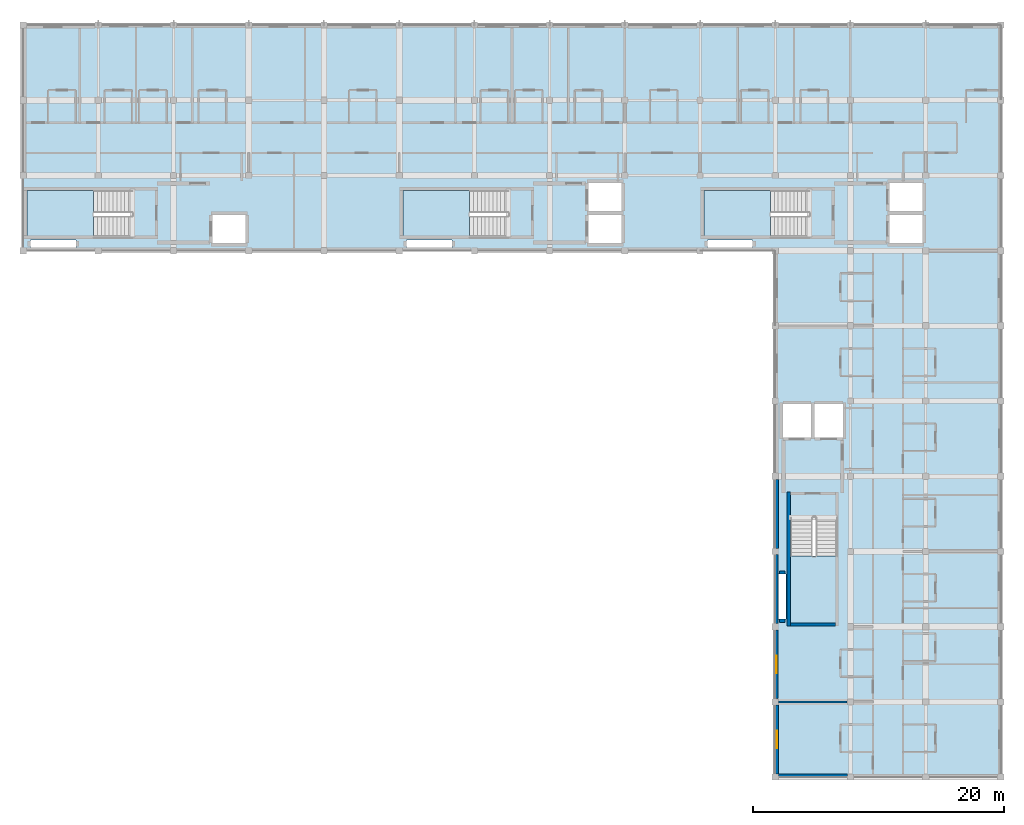
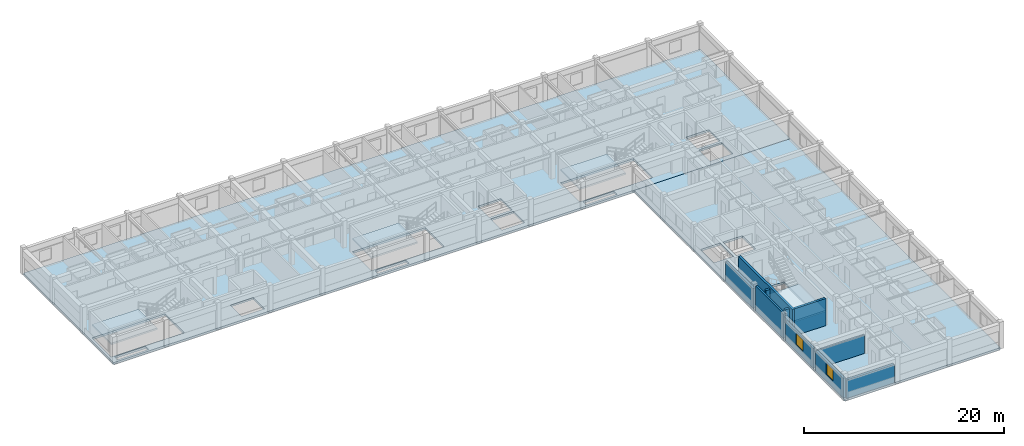
# One storey, part 2 of 14: 10 walls, 6 slabs, 2 windows, 2 openings, 4 elements without a shape of their own.
"""IFC4 building model written with IfcOpenShell, lengths in metres."""

from ifc_helpers import new_model, si_unit, direction, frame, frame_2d, origin, place, context, subcontext, project, spatial, polyline, rectangle, outline, extrude, material, layer, layer_set, type_object, element, fill, aggregate, save


model = new_model("IFC4")

# Units and contexts
model_context = context("Model", 3, precision=1e-05, world=origin(), true_north=direction((0.0, 1.0)))
body_context = subcontext(model_context, "Body", "Model", "MODEL_VIEW")
ifc_project = project(units=[si_unit("LENGTHUNIT", "METRE"), si_unit("AREAUNIT", "SQUARE_METRE"), si_unit("VOLUMEUNIT", "CUBIC_METRE"), si_unit("PLANEANGLEUNIT", "RADIAN"), si_unit("MASSUNIT", "GRAM", prefix="KILO"), si_unit("THERMODYNAMICTEMPERATUREUNIT", "KELVIN"), si_unit("POWERUNIT", "WATT")], contexts=[model_context])

# Site, building, storey
site_placement = place(None, origin())
site = spatial("IfcSite", under=ifc_project, at=site_placement, CompositionType="ELEMENT")
building_placement = place(site_placement, origin())
building = spatial("IfcBuilding", under=site, at=building_placement, Name="Phaisarnlok Congress Hotel", CompositionType="ELEMENT")
storey_placement = place(building_placement, frame((0.0, 0.0, 48.0)))
storey = spatial("IfcBuildingStorey", under=building, at=storey_placement, Name="L12", CompositionType="ELEMENT", Elevation=48.0)

# Slabs
ifc_material_1 = material(Name="Concrete C40/50", Category="concrete")
ifc_layer_1 = layer(ifc_material_1, 0.25, Name="Concrete C40/50")
ifc_layer_set_1 = layer_set([ifc_layer_1], Name="Concrete C40/50")
slab_type_1 = type_object("IfcSlabType", Name="SLB-INT-250", PredefinedType="FLOOR", material=ifc_layer_set_1)
slab_1_placement = place(storey_placement, frame((0.0, 0.0, -0.25)))
element("IfcSlab", 1, at=slab_1_placement, inside=storey, type_object=slab_type_1, Name="Floor slab SL-INT-250 (L12 v5_n)", PredefinedType="FLOOR", context=body_context, shape_type="SweptSolid", body=[
    extrude(outline(polyline([(180.0, 108.0), (180.0, 126.0), (102.0, 126.0), (102.0, 108.0), (180.0, 108.0)]), holes=[polyline([(164.719970703125, 112.800048828125), (156.300048828125, 112.800048828125), (156.300048828125, 109.0), (164.719970703125, 109.0), (164.719970703125, 112.800048828125)]), polyline([(140.719970703125, 112.800048828125), (132.300048828125, 112.800048828125), (132.300048828125, 109.0), (140.719970703125, 109.0), (140.719970703125, 112.800048828125)]), polyline([(110.719970703125, 112.800048828125), (102.300048828125, 112.800048828125), (102.300048828125, 109.0), (110.719970703125, 109.0), (110.719970703125, 112.800048828125)]), polyline([(173.75, 108.60009765625), (173.75, 110.85009765625), (171.10009765625, 110.85009765625), (171.10009765625, 108.60009765625), (173.75, 108.60009765625)]), polyline([(173.75, 111.14990234375), (173.75, 113.39990234375), (171.10009765625, 113.39990234375), (171.10009765625, 111.14990234375), (173.75, 111.14990234375)]), polyline([(160.199951171875, 108.25), (160.199951171875, 108.85009765625), (156.60009765625, 108.85009765625), (156.60009765625, 108.25), (160.199951171875, 108.25)]), polyline([(149.75, 108.60009765625), (149.75, 110.85009765625), (147.10009765625, 110.85009765625), (147.10009765625, 108.60009765625), (149.75, 108.60009765625)]), polyline([(149.75, 111.14990234375), (149.75, 113.39990234375), (147.10009765625, 113.39990234375), (147.10009765625, 111.14990234375), (149.75, 111.14990234375)]), polyline([(136.199951171875, 108.25), (136.199951171875, 108.85009765625), (132.60009765625, 108.85009765625), (132.60009765625, 108.25), (136.199951171875, 108.25)]), polyline([(119.75, 108.60009765625), (119.75, 110.85009765625), (117.10009765625, 110.85009765625), (117.10009765625, 108.60009765625), (119.75, 108.60009765625)]), polyline([(106.199951171875, 108.25), (106.199951171875, 108.85009765625), (102.60009765625, 108.85009765625), (102.60009765625, 108.25), (106.199951171875, 108.25)])]), origin(), (0.0, 0.0, 1.0), 0.25),
])
slab_2_placement = place(storey_placement, frame((0.0, 0.0, -0.25)))
element("IfcSlab", 2, at=slab_2_placement, inside=storey, type_object=slab_type_1, Name="Floor slab SL-INT-250 (L12 v5_e)", PredefinedType="FLOOR", context=body_context, shape_type="SweptSolid", body=[
    extrude(outline(polyline([(180.0, 66.0), (180.0, 108.0), (162.0, 108.0), (162.0, 66.0), (180.0, 66.0)]), holes=[polyline([(163.199951171875, 86.719970703125), (163.199951171875, 78.300048828125), (167.0, 78.300048828125), (167.0, 86.719970703125), (163.199951171875, 86.719970703125)]), polyline([(164.85009765625, 93.10009765625), (164.85009765625, 95.75), (162.60009765625, 95.75), (162.60009765625, 93.10009765625), (164.85009765625, 93.10009765625)]), polyline([(167.39990234375, 93.10009765625), (167.39990234375, 95.75), (165.14990234375, 95.75), (165.14990234375, 93.10009765625), (167.39990234375, 93.10009765625)]), polyline([(162.85009765625, 78.60009765625), (162.85009765625, 82.199951171875), (162.25, 82.199951171875), (162.25, 78.60009765625), (162.85009765625, 78.60009765625)])]), origin(), (0.0, 0.0, 1.0), 0.25),
])

# Stair, slab
stair_type = type_object("IfcStairType", Name="STR-DOG-05", PredefinedType="HALF_TURN_STAIR", material=ifc_material_1)
stair_1_placement = place(storey_placement, origin())
stair_1 = element("IfcStair", 3, at=stair_1_placement, inside=storey, type_object=stair_type, Name="L12 ST-05", PredefinedType="HALF_TURN_STAIR")
ifc_layer_2 = layer(ifc_material_1, 0.199951171875, Name="Concrete C40/50")
ifc_layer_set_2 = layer_set([ifc_layer_2], Name="Concrete C40/50")
slab_type_2 = type_object("IfcSlabType", Name="SLB-LND-200", PredefinedType="LANDING", material=ifc_layer_set_2)
slab_3_placement = place(storey_placement, frame((0.0, 0.0, 1.449951171875)))
slab_3 = element("IfcSlab", 4, at=slab_3_placement, type_object=slab_type_2, Name="ST-05 landing 1", PredefinedType="LANDING", context=body_context, shape_type="SweptSolid", body=[
    extrude(outline(polyline([(161.6201171875, 112.800048828125), (156.300048828125, 112.800048828125), (156.300048828125, 109.0), (161.6201171875, 109.0), (161.6201171875, 112.800048828125)])), origin(), (0.0, 0.0, 1.0), 0.199951171875),
])
aggregate(stair_1, [slab_3])

stair_2_placement = place(storey_placement, origin())
stair_2 = element("IfcStair", 5, at=stair_2_placement, inside=storey, type_object=stair_type, Name="L12 ST-06", PredefinedType="HALF_TURN_STAIR")
slab_4_placement = place(storey_placement, frame((0.0, 0.0, 1.449951171875)))
slab_4 = element("IfcSlab", 6, at=slab_4_placement, type_object=slab_type_2, Name="ST-06 landing 1", PredefinedType="LANDING", context=body_context, shape_type="SweptSolid", body=[
    extrude(outline(polyline([(137.6201171875, 112.800048828125), (132.300048828125, 112.800048828125), (132.300048828125, 109.0), (137.6201171875, 109.0), (137.6201171875, 112.800048828125)])), origin(), (0.0, 0.0, 1.0), 0.199951171875),
])
aggregate(stair_2, [slab_4])

stair_3_placement = place(storey_placement, origin())
stair_3 = element("IfcStair", 7, at=stair_3_placement, inside=storey, type_object=stair_type, Name="L12 ST-07", PredefinedType="HALF_TURN_STAIR")
slab_5_placement = place(storey_placement, frame((0.0, 0.0, 1.449951171875)))
slab_5 = element("IfcSlab", 8, at=slab_5_placement, type_object=slab_type_2, Name="ST-07 landing 1", PredefinedType="LANDING", context=body_context, shape_type="SweptSolid", body=[
    extrude(outline(polyline([(107.6201171875, 112.800048828125), (102.300048828125, 112.800048828125), (102.300048828125, 109.0), (107.6201171875, 109.0), (107.6201171875, 112.800048828125)])), origin(), (0.0, 0.0, 1.0), 0.199951171875),
])
aggregate(stair_3, [slab_5])

stair_4_placement = place(storey_placement, origin())
stair_4 = element("IfcStair", 9, at=stair_4_placement, inside=storey, type_object=stair_type, Name="L12 ST-09", PredefinedType="HALF_TURN_STAIR")
slab_6_placement = place(storey_placement, frame((0.0, 0.0, 1.449951171875)))
slab_6 = element("IfcSlab", 10, at=slab_6_placement, type_object=slab_type_2, Name="ST-09 landing 1", PredefinedType="LANDING", context=body_context, shape_type="SweptSolid", body=[
    extrude(outline(polyline([(163.199951171875, 83.6201171875), (163.199951171875, 78.300048828125), (167.0, 78.300048828125), (167.0, 83.6201171875), (163.199951171875, 83.6201171875)])), origin(), (0.0, 0.0, 1.0), 0.199951171875),
])
aggregate(stair_4, [slab_6])

# Wall, opening, window
ifc_layer_3 = layer(ifc_material_1, 0.2099609375, Name="Concrete C40/50")
ifc_layer_set_3 = layer_set([ifc_layer_3], Name="Concrete C40/50")
wall_type_1 = type_object("IfcWallType", Name="WL-EXT-210", PredefinedType="SOLIDWALL", material=ifc_layer_set_3)
wall_1_placement = place(storey_placement, frame((162.10498046875, 77.7451171875, 0.0), z_axis=(0.0, 0.0, 1.0), x_axis=(0.0, -1.0, 0.0)))
wall_1 = element("IfcWall", 11, at=wall_1_placement, inside=storey, type_object=wall_type_1, Name="Exterior wall EW-07 (L12)", PredefinedType="SOLIDWALL", context=body_context, shape_type="SweptSolid", body=[
    extrude(rectangle(XDim=5.490234375, YDim=0.2099609375, at=frame_2d((2.7451171875, 0.0))), origin(), (0.0, 0.0, 1.0), 2.39990234375),
])
opening_1_placement = place(wall_1_placement, frame((2.044921875, 0.0, 0.800048828125)))
opening_1 = element("IfcOpeningElement", 12, at=opening_1_placement, cuts=wall_1, Name="Opening W-13", PredefinedType="OPENING", context=body_context, shape_type="SweptSolid", body=[
    extrude(rectangle(XDim=1.39990234375, YDim=1.39990234375, at=frame_2d((0.699951171875, 0.699951171875))), frame((0.0, 0.114990234375, 0.0), z_axis=(0.0, -1.0, 0.0), x_axis=(1.0, 0.0, 0.0)), (0.0, 0.0, 1.0), 0.22998046875),
])
ifc_material_2 = material(Name="Thermally Broken Aluminium & Low-E Double Glazing", Category="aluminium")
window_type = type_object("IfcWindowType", Name="WIN-POD-1400", PartitioningType="SINGLE_PANEL", PredefinedType="WINDOW", material=ifc_material_2)
window_1_placement = place(opening_1_placement, origin())
window_1 = element("IfcWindow", 13, at=window_1_placement, inside=storey, type_object=window_type, Name="Guestroom window W-13 (L12)", OverallHeight=1.39990234375, OverallWidth=1.39990234375, PartitioningType="SINGLE_PANEL", PredefinedType="WINDOW", context=body_context, shape_type="SweptSolid", body=[
    extrude(rectangle(XDim=1.39990234375, YDim=1.39990234375, at=frame_2d((0.699951171875, 0.699951171875))), frame((0.0, 0.030029296875, 0.0), z_axis=(0.0, -1.0, 0.0), x_axis=(1.0, 0.0, 0.0)), (0.0, 0.0, 1.0), 0.06005859375),
])
fill(opening_1, window_1)

# Walls
ifc_layer_4 = layer(ifc_material_1, 0.22998046875, Name="Concrete C40/50")
ifc_layer_set_4 = layer_set([ifc_layer_4], Name="Concrete C40/50")
wall_type_2 = type_object("IfcWallType", Name="WL-EXT-230", PredefinedType="SOLIDWALL", material=ifc_layer_set_4)
wall_2_placement = place(storey_placement, frame((162.114990234375, 83.7451171875, 0.0), z_axis=(0.0, 0.0, 1.0), x_axis=(0.0, -1.0, 0.0)))
element("IfcWall", 14, at=wall_2_placement, inside=storey, type_object=wall_type_2, Name="Exterior wall EW-06 (L12)", PredefinedType="SOLIDWALL", context=body_context, shape_type="SweptSolid", body=[
    extrude(rectangle(XDim=5.490234375, YDim=0.22998046875, at=frame_2d((2.7451171875, 0.0))), origin(), (0.0, 0.0, 1.0), 3.050048828125),
])
ifc_layer_5 = layer(ifc_material_1, 0.25, Name="Concrete C40/50")
ifc_layer_set_5 = layer_set([ifc_layer_5], Name="Concrete C40/50")
wall_type_3 = type_object("IfcWallType", Name="WL-EXT-250", PredefinedType="SOLIDWALL", material=ifc_layer_set_5)
wall_3_placement = place(storey_placement, frame((162.125, 89.7451171875, 0.0), z_axis=(0.0, 0.0, 1.0), x_axis=(0.0, -1.0, 0.0)))
element("IfcWall", 15, at=wall_3_placement, inside=storey, type_object=wall_type_3, Name="Exterior wall EW-05 (L12)", PredefinedType="SOLIDWALL", context=body_context, shape_type="SweptSolid", body=[
    extrude(rectangle(XDim=5.490234375, YDim=0.25, at=frame_2d((2.7451171875, 0.0))), origin(), (0.0, 0.0, 1.0), 2.39990234375),
])
wall_4_placement = place(storey_placement, frame((162.2548828125, 66.125, 0.0), z_axis=(0.0, 0.0, 1.0), x_axis=(1.0, 0.0, 0.0)))
element("IfcWall", 16, at=wall_4_placement, inside=storey, type_object=wall_type_3, Name="Exterior wall EW-05 (L12)", PredefinedType="SOLIDWALL", context=body_context, shape_type="SweptSolid", body=[
    extrude(rectangle(XDim=5.490234375, YDim=0.25, at=frame_2d((2.7451171875, 0.0))), origin(), (0.0, 0.0, 1.0), 2.25),
])

# Wall, opening, window
ifc_layer_6 = layer(ifc_material_1, 0.27001953125, Name="Concrete C40/50")
ifc_layer_set_6 = layer_set([ifc_layer_6], Name="Concrete C40/50")
wall_type_4 = type_object("IfcWallType", Name="WL-EXT-270", PredefinedType="SOLIDWALL", material=ifc_layer_set_6)
wall_5_placement = place(storey_placement, frame((162.135009765625, 71.7451171875, 0.0), z_axis=(0.0, 0.0, 1.0), x_axis=(0.0, -1.0, 0.0)))
wall_5 = element("IfcWall", 17, at=wall_5_placement, inside=storey, type_object=wall_type_4, Name="Exterior wall EW-04 (L12)", PredefinedType="SOLIDWALL", context=body_context, shape_type="SweptSolid", body=[
    extrude(rectangle(XDim=5.490234375, YDim=0.27001953125, at=frame_2d((2.7451171875, 0.0))), origin(), (0.0, 0.0, 1.0), 2.39990234375),
])
opening_2_placement = place(wall_5_placement, frame((2.044921875, 0.0, 0.800048828125)))
opening_2 = element("IfcOpeningElement", 18, at=opening_2_placement, cuts=wall_5, Name="Opening W-13", PredefinedType="OPENING", context=body_context, shape_type="SweptSolid", body=[
    extrude(rectangle(XDim=1.39990234375, YDim=1.39990234375, at=frame_2d((0.699951171875, 0.699951171875))), frame((0.0, 0.14501953125, 0.0), z_axis=(0.0, -1.0, 0.0), x_axis=(1.0, 0.0, 0.0)), (0.0, 0.0, 1.0), 0.2900390625),
])
window_2_placement = place(opening_2_placement, origin())
window_2 = element("IfcWindow", 19, at=window_2_placement, inside=storey, type_object=window_type, Name="Guestroom window W-13 (L12)", OverallHeight=1.39990234375, OverallWidth=1.39990234375, PartitioningType="SINGLE_PANEL", PredefinedType="WINDOW", context=body_context, shape_type="SweptSolid", body=[
    extrude(rectangle(XDim=1.39990234375, YDim=1.39990234375, at=frame_2d((0.699951171875, 0.699951171875))), frame((0.0, 0.030029296875, 0.0), z_axis=(0.0, -1.0, 0.0), x_axis=(1.0, 0.0, 0.0)), (0.0, 0.0, 1.0), 0.06005859375),
])
fill(opening_2, window_2)

# Walls
ifc_material_3 = material(Name="Double-Stud Acoustic Gypsum Partition", Category="gypsum")
ifc_layer_7 = layer(ifc_material_3, 0.159912109375, Name="Double-Stud Acoustic Gypsum Partition")
ifc_layer_set_7 = layer_set([ifc_layer_7], Name="Double-Stud Acoustic Gypsum Partition")
wall_type_5 = type_object("IfcWallType", Name="WL-INT-160", PredefinedType="PARTITIONING", material=ifc_layer_set_7)
wall_6_placement = place(storey_placement, frame((162.280029296875, 72.0, 0.0), z_axis=(0.0, 0.0, 1.0), x_axis=(1.0, 0.0, 0.0)))
element("IfcWall", 20, at=wall_6_placement, inside=storey, type_object=wall_type_5, Name="Interior partition wall IW-04 (L12)", PredefinedType="PARTITIONING", context=body_context, shape_type="SweptSolid", body=[
    extrude(rectangle(XDim=5.465087890625, YDim=0.159912109375, at=frame_2d((2.732421875, 0.0))), origin(), (0.0, 0.0, 1.0), 2.25),
])
ifc_material_4 = material(Name="Concrete C50/60", Category="concrete")
ifc_layer_8 = layer(ifc_material_4, 0.260009765625, Name="Concrete C50/60")
ifc_layer_set_8 = layer_set([ifc_layer_8], Name="Concrete C50/60")
wall_type_6 = type_object("IfcWallType", Name="WL-SHR-260", PredefinedType="SHEAR", material=ifc_layer_set_8)
wall_7_placement = place(storey_placement, frame((163.070068359375, 78.0400390625, 0.0), z_axis=(0.0, 0.0, 1.0), x_axis=(0.0, 1.0, 0.0)))
element("IfcWall", 21, at=wall_7_placement, inside=storey, type_object=wall_type_6, Name="Stair shaft shear wall SW-04 (CORE-3 L12)", PredefinedType="SHEAR", context=body_context, shape_type="SweptSolid", body=[
    extrude(rectangle(XDim=10.719970703125, YDim=0.260009765625, at=frame_2d((5.35986328125, 0.0))), origin(), (0.0, 0.0, 1.0), 3.300048828125),
])
wall_8_placement = place(storey_placement, frame((163.199951171875, 78.169921875, 0.0), z_axis=(0.0, 0.0, 1.0), x_axis=(1.0, 0.0, 0.0)))
element("IfcWall", 22, at=wall_8_placement, inside=storey, type_object=wall_type_6, Name="Stair shaft shear wall SW-04 (CORE-3 L12)", PredefinedType="SHEAR", context=body_context, shape_type="SweptSolid", body=[
    extrude(rectangle(XDim=3.60009765625, YDim=0.260009765625, at=frame_2d((1.800048828125, 0.0))), origin(), (0.0, 0.0, 1.0), 3.300048828125),
])
for number, where, z_axis, x_axis, name in (
    (23, (162.330078125, 78.469970703125, 0.0), (0.0, 0.0, 1.0), (1.0, 0.0, 0.0), "Service riser shaft wall SW-04 (CORE-3 L12)"),
    (24, (162.330078125, 82.330078125, 0.0), (0.0, 0.0, 1.0), (1.0, 0.0, 0.0), "Service riser shaft wall SW-04 (CORE-3 L12)"),
):
    element("IfcWall", number, at=place(storey_placement, frame(where, z_axis=z_axis, x_axis=x_axis)), inside=storey, type_object=wall_type_6, Name=name, PredefinedType="SHEAR", context=body_context, shape_type="SweptSolid", body=[
        extrude(rectangle(XDim=0.43994140625, YDim=0.260009765625, at=frame_2d((0.219970703125, 0.0))), origin(), (0.0, 0.0, 1.0), 3.300048828125),
    ])

save(model, "model.ifc")
